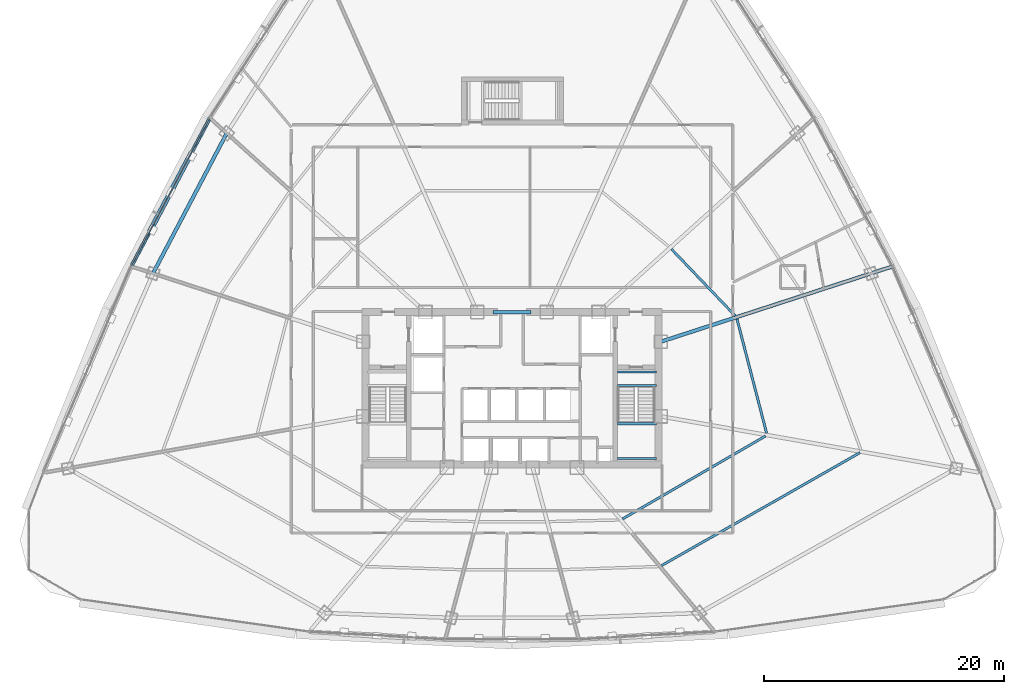
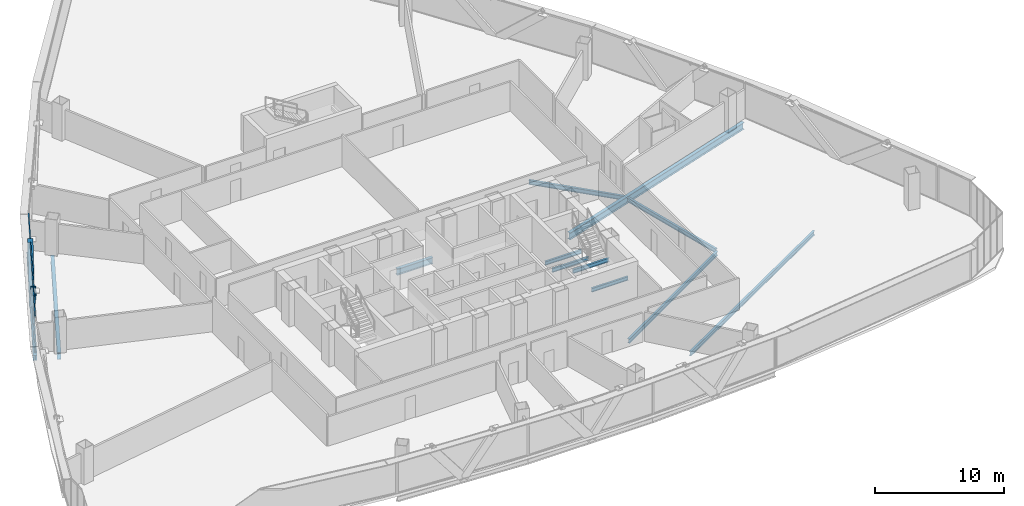
# One storey, part 15 of 42: 12 beams, 4 members, 1 element without a shape of its own.
"""IFC4 building model written with IfcOpenShell, lengths in metres."""

from ifc_helpers import new_model, si_unit, direction, frame, origin, origin_2d, place, context, subcontext, project, spatial, hollow_rectangle, i_section, extrude, source, transform, mapped, material, layer, layer_set, material_profile, profile_set, type_object, element, aggregate, save


model = new_model("IFC4")

# Units and contexts
model_context = context("Model", 3, precision=1e-05, world=origin(), true_north=direction((0.0, 1.0)))
body_context = subcontext(model_context, "Body", "Model", "MODEL_VIEW")
ifc_project = project(units=[si_unit("LENGTHUNIT", "METRE"), si_unit("AREAUNIT", "SQUARE_METRE"), si_unit("VOLUMEUNIT", "CUBIC_METRE"), si_unit("PLANEANGLEUNIT", "RADIAN"), si_unit("MASSUNIT", "GRAM", prefix="KILO"), si_unit("THERMODYNAMICTEMPERATUREUNIT", "KELVIN"), si_unit("POWERUNIT", "WATT")], contexts=[model_context])

# Site, building, storey
site_placement = place(None, origin())
site = spatial("IfcSite", under=ifc_project, at=site_placement, CompositionType="ELEMENT")
building_placement = place(site_placement, origin())
building = spatial("IfcBuilding", under=site, at=building_placement, Name="Yunzhuo Pagoda Commons", CompositionType="ELEMENT")
storey_placement = place(building_placement, frame((0.0, 0.0, 137.18994140625)))
storey = spatial("IfcBuildingStorey", under=building, at=storey_placement, Name="L34", CompositionType="ELEMENT", Elevation=137.18994140625)

# Beams
ifc_material_1 = material(Name="Structural steel Q355B", Category="steel")
ifc_material_profile_1 = material_profile(ifc_material_1, i_section(OverallWidth=0.175048828125, OverallDepth=0.35009765625, WebThickness=0.007080078125, FlangeThickness=0.010986328125, at=origin_2d()), Name="Structural steel Q355B")
ifc_profile_set_1 = profile_set([ifc_material_profile_1], Name="Structural steel Q355B")
beam_type_1 = type_object("IfcBeamType", Name="B-JS2 Joist HN 350x175x7x11", PredefinedType="JOIST", material=ifc_profile_set_1)
shared_shape_1 = source(origin(), body_context, "Body", "SweptSolid", [
    extrude(i_section(OverallWidth=0.175048828125, OverallDepth=0.35009765625, WebThickness=0.007080078125, FlangeThickness=0.010986328125, at=origin_2d()), origin(), (0.0, 0.0, 1.0), 3.25),
])
for number, where, z_axis, x_axis, name in (
    (1, (56.800048828125, 28.0, 1.465087890625), (1.0, 0.0, 0.0), (0.0, 1.0, 0.0), "L34 ST2 landing support beam 40A"),
    (2, (56.800048828125, 30.89990234375, 1.465087890625), (1.0, 0.0, 0.0), (0.0, 1.0, 0.0), "L34 ST2 landing support beam 40B"),
    (3, (56.800048828125, 34.10009765625, -0.375), (1.0, 0.0, 0.0), (0.0, 1.0, 0.0), "L34 ST2 landing support beam 138A"),
    (4, (56.800048828125, 35.199951171875, -0.375), (1.0, 0.0, 0.0), (0.0, 1.0, 0.0), "L34 ST2 landing support beam 138B"),
):
    element("IfcBeam", number, at=place(storey_placement, frame(where, z_axis=z_axis, x_axis=x_axis)), inside=storey, type_object=beam_type_1, Name=name, PredefinedType="JOIST", context=body_context, shape_type="MappedRepresentation", body=[
        mapped(shared_shape_1, transform((0.0, 0.0, 0.0), scale=1.0)),
    ])
ifc_material_2 = material(Name="Structural steel Q420B", Category="steel")
ifc_material_profile_2 = material_profile(ifc_material_2, i_section(OverallWidth=0.300048828125, OverallDepth=0.587890625, WebThickness=0.011962890625, FlangeThickness=0.02001953125, at=origin_2d()), Name="Structural steel Q420B")
ifc_profile_set_2 = profile_set([ifc_material_profile_2], Name="Structural steel Q420B")
beam_type_2 = type_object("IfcBeamType", Name="B-CPL Beam HM 588x300x12x20", PredefinedType="BEAM", material=ifc_profile_set_2)
shared_shape_2 = source(origin(), body_context, "Body", "SweptSolid", [
    extrude(i_section(OverallWidth=0.300048828125, OverallDepth=0.587890625, WebThickness=0.011962890625, FlangeThickness=0.02001953125, at=origin_2d()), origin(), (0.0, 0.0, 1.0), 3.2001953125),
])
beam_1_placement = place(storey_placement, frame((46.39990234375, 40.199951171875, -0.553955078125), z_axis=(1.0, 0.0, 0.0), x_axis=(0.0, 1.0, 0.0)))
element("IfcBeam", 5, at=beam_1_placement, inside=storey, type_object=beam_type_2, Name="L34 core coupling girder", PredefinedType="BEAM", context=body_context, shape_type="MappedRepresentation", body=[
    mapped(shared_shape_2, transform((0.0, 0.0, 0.0), scale=1.0)),
])
ifc_material_profile_3 = material_profile(ifc_material_1, i_section(OverallWidth=0.300048828125, OverallDepth=0.488037109375, WebThickness=0.010986328125, FlangeThickness=0.01806640625, at=origin_2d()), Name="Structural steel Q355B")
ifc_profile_set_3 = profile_set([ifc_material_profile_3], Name="Structural steel Q355B")
beam_type_3 = type_object("IfcBeamType", Name="B-SP1 Beam HM 488x300x11x18", PredefinedType="BEAM", material=ifc_profile_set_3)
shared_shape_3 = source(origin(), body_context, "Body", "SweptSolid", [
    extrude(i_section(OverallWidth=0.300048828125, OverallDepth=0.488037109375, WebThickness=0.010986328125, FlangeThickness=0.01806640625, at=origin_2d()), origin(), (0.0, 0.0, 1.0), 13.98681640625),
])
beam_2_placement = place(storey_placement, frame((22.826171875, 56.36669921875, -0.50390625), z_axis=(-0.468057733589, -0.883697888437, 0.0), x_axis=(0.883697888437, -0.468057733589, 0.0)))
element("IfcBeam", 6, at=beam_2_placement, inside=storey, type_object=beam_type_3, Name="L34 facade edge spandrel beam F3.2", PredefinedType="BEAM", context=body_context, shape_type="MappedRepresentation", body=[
    mapped(shared_shape_3, transform((0.0, 0.0, 0.0), scale=1.0)),
])
ifc_material_profile_4 = material_profile(ifc_material_1, i_section(OverallWidth=0.300048828125, OverallDepth=0.64990234375, WebThickness=0.012939453125, FlangeThickness=0.02197265625, at=origin_2d()), Name="Structural steel Q355B")
ifc_profile_set_4 = profile_set([ifc_material_profile_4], Name="Structural steel Q355B")
beam_type_4 = type_object("IfcBeamType", Name="B-RG2 Beam HN 650x300x13x22", PredefinedType="BEAM", material=ifc_profile_set_4)
shared_shape_4 = source(origin(), body_context, "Body", "SweptSolid", [
    extrude(i_section(OverallWidth=0.300048828125, OverallDepth=0.64990234375, WebThickness=0.012939453125, FlangeThickness=0.02197265625, at=origin_2d()), origin(), (0.0, 0.0, 1.0), 20.159912109375),
])
beam_3_placement = place(storey_placement, frame((79.572998046875, 43.958740234375, -0.584716796875), z_axis=(-0.951056226242, -0.309017887067, 0.0), x_axis=(0.309017887067, -0.951056226242, 0.0)))
element("IfcBeam", 7, at=beam_3_placement, inside=storey, type_object=beam_type_4, Name="L34 radial floor girder F2C2", PredefinedType="BEAM", context=body_context, shape_type="MappedRepresentation", body=[
    mapped(shared_shape_4, transform((0.0, 0.0, 0.0), scale=1.0)),
])
ifc_material_profile_5 = material_profile(ifc_material_1, i_section(OverallWidth=0.199951171875, OverallDepth=0.39990234375, WebThickness=0.008056640625, FlangeThickness=0.012939453125, at=origin_2d()), Name="Structural steel Q355B")
ifc_profile_set_5 = profile_set([ifc_material_profile_5], Name="Structural steel Q355B")
beam_type_5 = type_object("IfcBeamType", Name="B-JS1 Joist HN 400x200x8x13", PredefinedType="JOIST", material=ifc_profile_set_5)
shared_shape_5 = source(origin(), body_context, "Body", "SweptSolid", [
    extrude(i_section(OverallWidth=0.199951171875, OverallDepth=0.39990234375, WebThickness=0.008056640625, FlangeThickness=0.012939453125, at=origin_2d()), origin(), (0.0, 0.0, 1.0), 13.76416015625),
])
beam_4_placement = place(storey_placement, frame((57.2119140625, 22.96533203125, -0.459716796875), z_axis=(0.864967288101, 0.501828248025, 0.0), x_axis=(-0.501828248025, 0.864967288101, 0.0)))
element("IfcBeam", 8, at=beam_4_placement, inside=storey, type_object=beam_type_5, Name="L34 composite ring joist 1.4", PredefinedType="JOIST", context=body_context, shape_type="MappedRepresentation", body=[
    mapped(shared_shape_5, transform((0.0, 0.0, 0.0), scale=1.0)),
])
shared_shape_6 = source(origin(), body_context, "Body", "SweptSolid", [
    extrude(i_section(OverallWidth=0.199951171875, OverallDepth=0.39990234375, WebThickness=0.008056640625, FlangeThickness=0.012939453125, at=origin_2d()), origin(), (0.0, 0.0, 1.0), 19.007568359375),
])
beam_5_placement = place(storey_placement, frame((60.468017578125, 19.08447265625, -0.459716796875), z_axis=(0.869119947472, 0.494601371718, 0.0), x_axis=(-0.494601371718, 0.869119947472, 0.0)))
element("IfcBeam", 9, at=beam_5_placement, inside=storey, type_object=beam_type_5, Name="L34 composite ring joist 2.4", PredefinedType="JOIST", context=body_context, shape_type="MappedRepresentation", body=[
    mapped(shared_shape_6, transform((0.0, 0.0, 0.0), scale=1.0)),
])
shared_shape_7 = source(origin(), body_context, "Body", "SweptSolid", [
    extrude(i_section(OverallWidth=0.199951171875, OverallDepth=0.39990234375, WebThickness=0.008056640625, FlangeThickness=0.012939453125, at=origin_2d()), origin(), (0.0, 0.0, 1.0), 9.8330078125),
])
beam_6_placement = place(storey_placement, frame((69.215087890625, 30.10595703125, -0.459716796875), z_axis=(-0.251166367041, 0.967943932295, 0.0), x_axis=(-0.967943932295, -0.251166367041, 0.0)))
element("IfcBeam", 10, at=beam_6_placement, inside=storey, type_object=beam_type_5, Name="L34 composite ring joist 1.5", PredefinedType="JOIST", context=body_context, shape_type="MappedRepresentation", body=[
    mapped(shared_shape_7, transform((0.0, 0.0, 0.0), scale=1.0)),
])
shared_shape_8 = source(origin(), body_context, "Body", "SweptSolid", [
    extrude(i_section(OverallWidth=0.300048828125, OverallDepth=0.64990234375, WebThickness=0.012939453125, FlangeThickness=0.02197265625, at=origin_2d()), origin(), (0.0, 0.0, 1.0), 13.198974609375),
])
beam_7_placement = place(storey_placement, frame((24.23388671875, 55.09912109375, -0.584716796875), z_axis=(-0.465885937554, -0.884844784801, 0.0), x_axis=(0.884844784801, -0.465885937554, 0.0)))
element("IfcBeam", 11, at=beam_7_placement, inside=storey, type_object=beam_type_4, Name="L34 column-ring beam 10", PredefinedType="BEAM", context=body_context, shape_type="MappedRepresentation", body=[
    mapped(shared_shape_8, transform((0.0, 0.0, 0.0), scale=1.0)),
])
shared_shape_9 = source(origin(), body_context, "Body", "SweptSolid", [
    extrude(i_section(OverallWidth=0.199951171875, OverallDepth=0.39990234375, WebThickness=0.008056640625, FlangeThickness=0.012939453125, at=origin_2d()), origin(), (0.0, 0.0, 1.0), 7.685546875),
])
beam_8_placement = place(storey_placement, frame((66.595703125, 39.892578125, -0.459716796875), z_axis=(-0.690882862648, 0.722966714378, 0.0), x_axis=(-0.722966714378, -0.690882862648, 0.0)))
element("IfcBeam", 12, at=beam_8_placement, inside=storey, type_object=beam_type_5, Name="L34 composite ring joist 1.6", PredefinedType="JOIST", context=body_context, shape_type="MappedRepresentation", body=[
    mapped(shared_shape_9, transform((0.0, 0.0, 0.0), scale=1.0)),
])

# Members
ifc_material_profile_6 = material_profile(ifc_material_2, hollow_rectangle(XDim=0.419921875, YDim=0.719970703125, WallThickness=0.028076171875, at=origin_2d()), Name="Structural steel Q420B")
ifc_profile_set_6 = profile_set([ifc_material_profile_6], Name="Structural steel Q420B")
member_type_1 = type_object("IfcMemberType", Name="M-DL1 Brace BOX 720x420x28", PredefinedType="BRACE", material=ifc_profile_set_6)
shared_shape_10 = source(origin(), body_context, "Body", "SweptSolid", [
    extrude(hollow_rectangle(XDim=0.419921875, YDim=0.719970703125, WallThickness=0.028076171875, at=origin_2d()), origin(), (0.0, 0.0, 1.0), 5.076416015625),
])
for number, where, z_axis, x_axis, name in (
    (13, (19.552734375, 50.1865234375, -0.260009765625), (0.322408780968, 0.608700468484, 0.724938837159), (-0.883694492721, 0.468064144679, 0.0), "L34 facade diamond brace F3.2L"),
    (14, (19.552734375, 50.1865234375, -0.260009765625), (-0.32237512415, -0.608679631694, 0.724971299632), (0.883708076265, -0.468038498357, 0.0), "L34 facade diamond brace F3.2R"),
):
    element("IfcMember", number, at=place(storey_placement, frame(where, z_axis=z_axis, x_axis=x_axis)), inside=storey, type_object=member_type_1, Name=name, PredefinedType="BRACE", context=body_context, shape_type="MappedRepresentation", body=[
        mapped(shared_shape_10, transform((0.0, 0.0, 0.0), scale=1.0)),
    ])

# Curtain wall, members
ifc_material_3 = material(Name="Anodized aluminium 6063-T6", Category="aluminium")
ifc_layer = layer(ifc_material_3, 0.14990234375)
ifc_layer_set = layer_set([ifc_layer], Name="Anodized aluminium 6063-T6")
curtain_wall_type = type_object("IfcCurtainWallType", Name="CW-MID Mid-Zone Ribbon Curtain Wall", PredefinedType="NOTDEFINED", material=ifc_layer_set)
curtain_wall_placement = place(storey_placement, origin())
curtain_wall = element("IfcCurtainWall", 15, at=curtain_wall_placement, inside=storey, type_object=curtain_wall_type, Name="L34 curtain wall CW-L34-F3B3", PredefinedType="NOTDEFINED")
ifc_material_profile_7 = material_profile(ifc_material_3, hollow_rectangle(XDim=0.054931640625, YDim=0.1298828125, WallThickness=0.00341796875, at=origin_2d()), Name="Anodized aluminium 6063-T6")
ifc_profile_set_7 = profile_set([ifc_material_profile_7], Name="Anodized aluminium 6063-T6")
member_type_2 = type_object("IfcMemberType", Name="CW-MID-T Transom RHS 130x55x3.5", PredefinedType="USERDEFINED", material=ifc_profile_set_7)
shared_shape_11 = source(origin(), body_context, "Body", "SweptSolid", [
    extrude(hollow_rectangle(XDim=0.054931640625, YDim=0.1298828125, WallThickness=0.00341796875, at=origin_2d()), origin(), (0.0, 0.0, 1.0), 13.86669921875),
])
member_1_placement = place(storey_placement, frame((22.798095703125, 56.3134765625, 0.027587890625), z_axis=(-0.468063250671, -0.883694966247, 0.0), x_axis=(0.883694966247, -0.468063250671, 0.0)))
member_1 = element("IfcMember", 16, at=member_1_placement, type_object=member_type_2, Name="CW transom 1.1", ObjectType="TRANSOM", PredefinedType="USERDEFINED", context=body_context, shape_type="MappedRepresentation", body=[
    mapped(shared_shape_11, transform((0.0, 0.0, 0.0), scale=1.0)),
])
member_2_placement = place(storey_placement, frame((22.798095703125, 56.3134765625, 3.392822265625), z_axis=(-0.468063250671, -0.883694966247, 0.0), x_axis=(0.883694966247, -0.468063250671, 0.0)))
member_2 = element("IfcMember", 17, at=member_2_placement, type_object=member_type_2, Name="CW transom 1.2", ObjectType="TRANSOM", PredefinedType="USERDEFINED", context=body_context, shape_type="MappedRepresentation", body=[
    mapped(shared_shape_11, transform((0.0, 0.0, 0.0), scale=1.0)),
])
aggregate(curtain_wall, [member_1, member_2])

save(model, "model.ifc")
